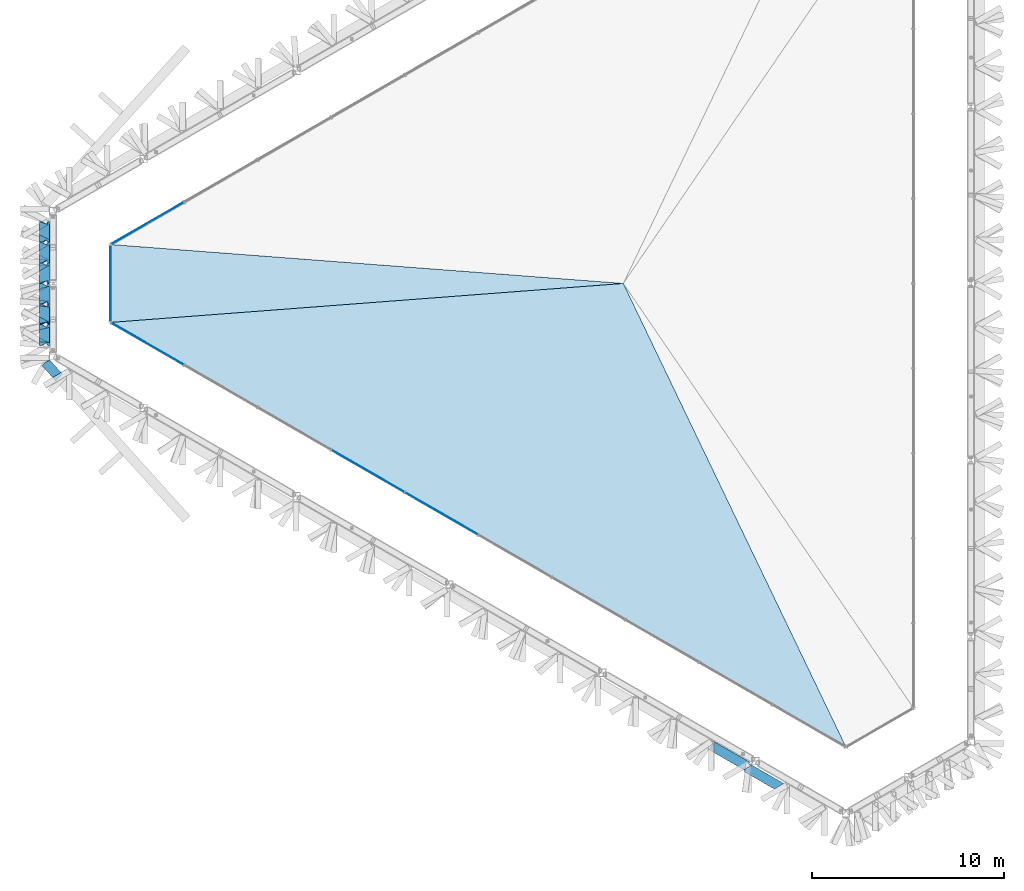
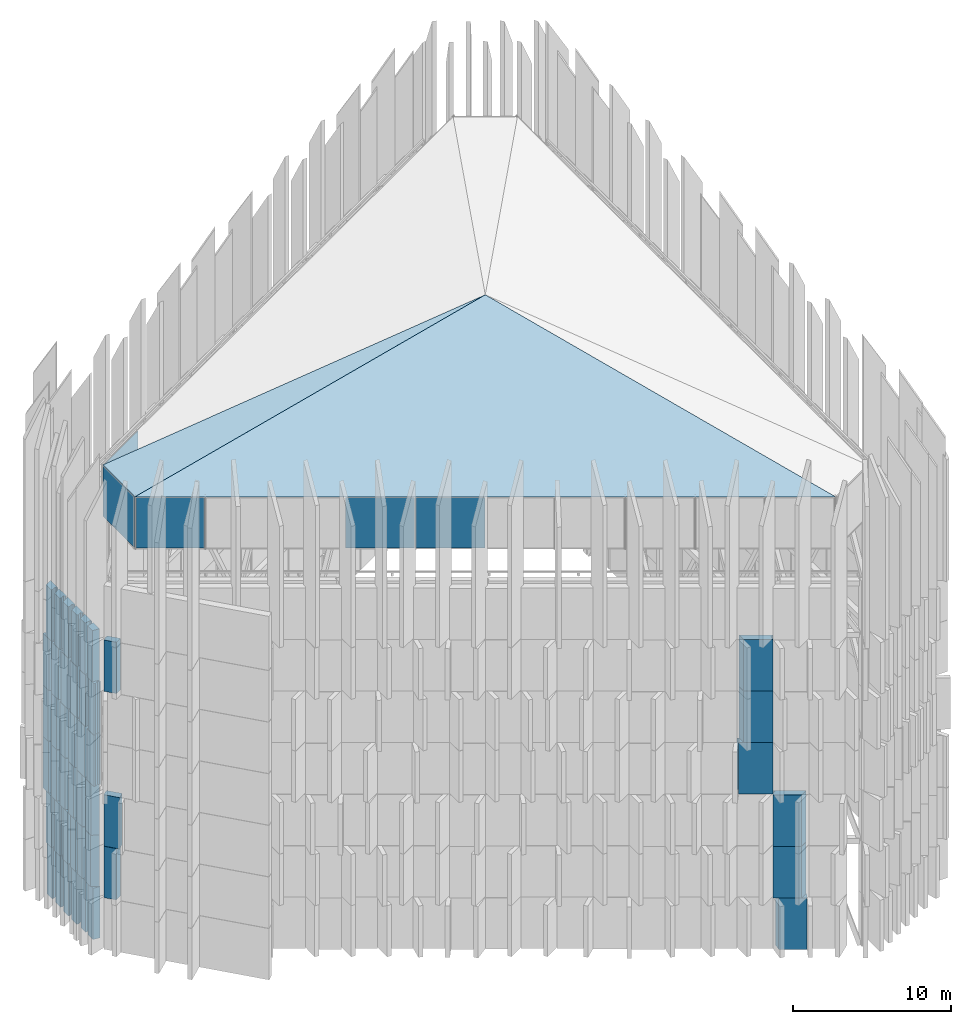
# One storey, part 28 of 45: 52 plates, 3 elements without a shape of their own.
"""IFC4 building model written with IfcOpenShell, lengths in metres."""

from ifc_helpers import new_model, si_unit, direction, frame, origin, origin_2d, place, context, subcontext, project, spatial, polyline, rectangle, outline, extrude, material, layer, layer_set, type_object, element, aggregate, save


model = new_model("IFC4")

# Units and contexts
model_context = context("Model", 3, precision=1e-05, world=origin(), true_north=direction((0.0, 1.0)))
body_context = subcontext(model_context, "Body", "Model", "MODEL_VIEW")
ifc_project = project(units=[si_unit("LENGTHUNIT", "METRE"), si_unit("AREAUNIT", "SQUARE_METRE"), si_unit("VOLUMEUNIT", "CUBIC_METRE"), si_unit("PLANEANGLEUNIT", "RADIAN"), si_unit("MASSUNIT", "GRAM", prefix="KILO")], contexts=[model_context])

# Site, building, storey
site_placement = place(None, origin())
site = spatial("IfcSite", under=ifc_project, at=site_placement, CompositionType="ELEMENT")
building_placement = place(site_placement, origin())
building = spatial("IfcBuilding", under=site, at=building_placement, Name="Jabali Bay Hotel Tower and Convention Centre", CompositionType="ELEMENT")
storey_placement = place(building_placement, frame((0.0, 0.0, 322.39990234375)))
storey = spatial("IfcBuildingStorey", under=building, at=storey_placement, Name="Crown", CompositionType="ELEMENT", Elevation=322.39990234375)

# Curtain wall, plate
ifc_material_1 = material(Name="Aluminium and glass", Category="aluminium")
ifc_layer_1 = layer(ifc_material_1, 0.199951171875)
ifc_layer_set_1 = layer_set([ifc_layer_1], Name="Aluminium and glass")
curtain_wall_type = type_object("IfcCurtainWallType", Name="CW6 curtain wall", PredefinedType="NOTDEFINED", material=ifc_layer_set_1)
curtain_wall_1_placement = place(storey_placement, origin())
curtain_wall_1 = element("IfcCurtainWall", 1, at=curtain_wall_1_placement, inside=storey, type_object=curtain_wall_type, Name="CW6 lantern glazing 3", PredefinedType="NOTDEFINED")
ifc_material_2 = material(Name="Glass", Category="glass")
ifc_layer_2 = layer(ifc_material_2, 0.031982421875)
ifc_layer_set_2 = layer_set([ifc_layer_2], Name="Glass")
plate_type_1 = type_object("IfcPlateType", Name="CW6 glass panel 32", PredefinedType="CURTAIN_PANEL", material=ifc_layer_set_2)
plate_1_placement = place(storey_placement, frame((50.158935546875, 83.150146484375, 28.41015625), z_axis=(0.0, 0.0, 1.0), x_axis=(-0.866025400826, -0.500000005124, 0.0)))
plate_1 = element("IfcPlate", 2, at=plate_1_placement, type_object=plate_type_1, Name="CW6 panel 10.1", PredefinedType="CURTAIN_PANEL", context=body_context, shape_type="SweptSolid", body=[
    extrude(rectangle(XDim=4.343994140625, YDim=0.031982421875, at=origin_2d()), origin(), (0.0, 0.0, 1.0), 3.8798828125),
])
aggregate(curtain_wall_1, [plate_1])

curtain_wall_2_placement = place(storey_placement, origin())
curtain_wall_2 = element("IfcCurtainWall", 3, at=curtain_wall_2_placement, inside=storey, type_object=curtain_wall_type, Name="CW6 lantern glazing 4", PredefinedType="NOTDEFINED")
plate_2_placement = place(storey_placement, frame((48.225830078125, 80.0, 28.41015625), z_axis=(0.0, 0.0, 1.0), x_axis=(0.0, -1.0, 0.0)))
plate_2 = element("IfcPlate", 4, at=plate_2_placement, type_object=plate_type_1, Name="CW6 panel 1.1", PredefinedType="CURTAIN_PANEL", context=body_context, shape_type="SweptSolid", body=[
    extrude(rectangle(XDim=3.948486328125, YDim=0.031982421875, at=origin_2d()), origin(), (0.0, 0.0, 1.0), 3.8798828125),
])
aggregate(curtain_wall_2, [plate_2])

# Curtain wall, plates
curtain_wall_3_placement = place(storey_placement, origin())
curtain_wall_3 = element("IfcCurtainWall", 5, at=curtain_wall_3_placement, inside=storey, type_object=curtain_wall_type, Name="CW6 lantern glazing 5", PredefinedType="NOTDEFINED")
plate_3_placement = place(storey_placement, frame((50.158935546875, 76.849853515625, 28.41015625), z_axis=(0.0, 0.0, 1.0), x_axis=(0.866025400826, -0.500000005124, 0.0)))
plate_3 = element("IfcPlate", 6, at=plate_3_placement, type_object=plate_type_1, Name="CW6 panel 1.1", PredefinedType="CURTAIN_PANEL", context=body_context, shape_type="SweptSolid", body=[
    extrude(rectangle(XDim=4.343994140625, YDim=0.031982421875, at=origin_2d()), origin(), (0.0, 0.0, 1.0), 3.8798828125),
])
plate_4_placement = place(storey_placement, frame((61.665771484375, 70.206298828125, 28.41015625), z_axis=(0.0, 0.0, 1.0), x_axis=(0.866025400826, -0.500000005124, 0.0)))
plate_4 = element("IfcPlate", 7, at=plate_4_placement, type_object=plate_type_1, Name="CW6 panel 4.1", PredefinedType="CURTAIN_PANEL", context=body_context, shape_type="SweptSolid", body=[
    extrude(rectangle(XDim=4.3740234375, YDim=0.031982421875, at=origin_2d()), origin(), (0.0, 0.0, 1.0), 3.8798828125),
])
plate_5_placement = place(storey_placement, frame((65.505615234375, 67.9892578125, 28.41015625), z_axis=(0.0, 0.0, 1.0), x_axis=(0.866025400826, -0.500000005124, 0.0)))
plate_5 = element("IfcPlate", 8, at=plate_5_placement, type_object=plate_type_1, Name="CW6 panel 5.1", PredefinedType="CURTAIN_PANEL", context=body_context, shape_type="SweptSolid", body=[
    extrude(rectangle(XDim=4.3740234375, YDim=0.031982421875, at=origin_2d()), origin(), (0.0, 0.0, 1.0), 3.8798828125),
])
aggregate(curtain_wall_3, [plate_3, plate_4, plate_5])

# Plates
ifc_layer_3 = layer(ifc_material_2, 0.0400390625)
ifc_layer_set_3 = layer_set([ifc_layer_3], Name="Glass")
plate_type_2 = type_object("IfcPlateType", Name="Lantern roof glazing", PredefinedType="SHEET", material=ifc_layer_set_3)
plate_6_placement = place(storey_placement, frame((48.225830078125, 82.0341796875, 32.35009765625), z_axis=(-0.183573566836, 0.0, 0.983005974325), x_axis=(0.0, -1.0, 0.0)))
element("IfcPlate", 9, at=plate_6_placement, inside=storey, type_object=plate_type_2, Name="Lantern roof glazing 4", PredefinedType="SHEET", context=body_context, shape_type="SweptSolid", body=[
    extrude(outline(polyline([(0.0, 0.0), (4.068359375, 0.0), (2.0341796875, 27.237060546875), (0.0, 0.0)])), origin(), (0.0, 0.0, -1.0), 0.0400390625),
])
plate_7_placement = place(storey_placement, frame((48.225830078125, 77.9658203125, 32.35009765625), z_axis=(-0.156714659268, -0.271437631798, 0.949611566702), x_axis=(0.866025307794, -0.500000166261, 0.0)))
element("IfcPlate", 10, at=plate_7_placement, inside=storey, type_object=plate_type_2, Name="Lantern roof glazing 5", PredefinedType="SHEET", context=body_context, shape_type="SweptSolid", body=[
    extrude(outline(polyline([(0.0, 0.0), (44.33984375, 0.0), (22.169921875, 15.95263671875), (0.0, 0.0)])), origin(), (0.0, 0.0, -1.0), 0.0400390625),
])
ifc_material_3 = material(Name="Precast concrete C60", Category="concrete")
ifc_layer_4 = layer(ifc_material_3, 0.5)
ifc_layer_set_4 = layer_set([ifc_layer_4], Name="Precast concrete C60")
plate_type_3 = type_object("IfcPlateType", Name="Pierced precast screen", PredefinedType="USERDEFINED", material=ifc_layer_set_4)
plate_8_placement = place(storey_placement, frame((0.0, 0.0, 0.010009765625)))
element("IfcPlate", 11, at=plate_8_placement, inside=storey, type_object=plate_type_3, Name="Screen 1.3.49", ObjectType="SCREEN", PredefinedType="USERDEFINED", context=body_context, shape_type="SweptSolid", body=[
    extrude(outline(polyline([(45.075927734375, 82.152099609375), (45.075927734375, 83.098388671875), (44.575927734375, 82.8095703125), (44.575927734375, 82.152099609375), (44.700927734375, 82.152099609375), (44.926025390625, 82.281982421875), (45.0009765625, 82.152099609375), (45.075927734375, 82.152099609375)])), origin(), (0.0, 0.0, 1.0), 3.9658203125),
])
plate_9_placement = place(storey_placement, frame((0.0, 0.0, 0.010009765625)))
element("IfcPlate", 12, at=plate_9_placement, inside=storey, type_object=plate_type_3, Name="Screen 1.3.50", ObjectType="SCREEN", PredefinedType="USERDEFINED", context=body_context, shape_type="SweptSolid", body=[
    extrude(outline(polyline([(45.075927734375, 81.076171875), (45.075927734375, 82.022216796875), (44.575927734375, 81.733642578125), (44.575927734375, 81.076171875), (44.700927734375, 81.076171875), (44.926025390625, 81.2060546875), (45.0009765625, 81.076171875), (45.075927734375, 81.076171875)])), origin(), (0.0, 0.0, 1.0), 3.9658203125),
])
plate_10_placement = place(storey_placement, frame((0.0, 0.0, 0.010009765625)))
element("IfcPlate", 13, at=plate_10_placement, inside=storey, type_object=plate_type_3, Name="Screen 1.3.51", ObjectType="SCREEN", PredefinedType="USERDEFINED", context=body_context, shape_type="SweptSolid", body=[
    extrude(outline(polyline([(45.02587890625, 80.0), (45.02587890625, 80.917236328125), (44.52587890625, 80.628662109375), (44.52587890625, 80.0), (44.65087890625, 80.0), (44.8759765625, 80.1298828125), (44.950927734375, 80.0), (45.02587890625, 80.0)])), origin(), (0.0, 0.0, 1.0), 3.9658203125),
])
plate_11_placement = place(storey_placement, frame((0.0, 0.0, 0.010009765625)))
element("IfcPlate", 14, at=plate_11_placement, inside=storey, type_object=plate_type_3, Name="Screen 1.3.52", ObjectType="SCREEN", PredefinedType="USERDEFINED", context=body_context, shape_type="SweptSolid", body=[
    extrude(outline(polyline([(45.02587890625, 78.923828125), (45.02587890625, 79.8701171875), (44.52587890625, 79.581298828125), (44.52587890625, 78.923828125), (44.698974609375, 78.923828125), (44.92724609375, 79.05419921875), (45.00146484375, 78.923828125), (45.02587890625, 78.923828125)])), origin(), (0.0, 0.0, 1.0), 3.9658203125),
])
plate_12_placement = place(storey_placement, frame((0.0, 0.0, 0.010009765625)))
element("IfcPlate", 15, at=plate_12_placement, inside=storey, type_object=plate_type_3, Name="Screen 1.3.53", ObjectType="SCREEN", PredefinedType="USERDEFINED", context=body_context, shape_type="SweptSolid", body=[
    extrude(outline(polyline([(45.075927734375, 77.847900390625), (45.075927734375, 78.793701171875), (44.575927734375, 78.508056640625), (44.575927734375, 77.893798828125), (45.008056640625, 77.993896484375), (45.0419921875, 77.847900390625), (45.075927734375, 77.847900390625)])), origin(), (0.0, 0.0, 1.0), 3.9658203125),
])
plate_13_placement = place(storey_placement, frame((0.0, 0.0, 0.010009765625)))
element("IfcPlate", 16, at=plate_13_placement, inside=storey, type_object=plate_type_3, Name="Screen 1.3.54", ObjectType="SCREEN", PredefinedType="USERDEFINED", context=body_context, shape_type="SweptSolid", body=[
    extrude(outline(polyline([(45.075927734375, 76.92138671875), (45.075927734375, 77.70166015625), (44.575927734375, 77.585693359375), (44.575927734375, 76.958984375), (45.075927734375, 76.92138671875)])), origin(), (0.0, 0.0, 1.0), 3.9658203125),
])
plate_14_placement = place(storey_placement, frame((0.0, 0.0, 0.010009765625)))
element("IfcPlate", 17, at=plate_14_placement, inside=storey, type_object=plate_type_3, Name="Screen 1.4.74", ObjectType="SCREEN", PredefinedType="USERDEFINED", context=body_context, shape_type="SweptSolid", body=[
    extrude(outline(polyline([(83.407470703125, 53.8740234375), (81.694580078125, 54.863037109375), (81.626708984375, 54.324951171875), (83.18359375, 53.426025390625), (83.407470703125, 53.8740234375)])), origin(), (0.0, 0.0, 1.0), 3.9658203125),
])
plate_15_placement = place(storey_placement, frame((0.0, 0.0, 3.995849609375)))
element("IfcPlate", 18, at=plate_15_placement, inside=storey, type_object=plate_type_3, Name="Screen 2.3.49", ObjectType="SCREEN", PredefinedType="USERDEFINED", context=body_context, shape_type="SweptSolid", body=[
    extrude(outline(polyline([(45.02587890625, 82.152099609375), (45.02587890625, 83.098388671875), (44.52587890625, 82.8095703125), (44.52587890625, 82.152099609375), (44.65087890625, 82.152099609375), (44.8759765625, 82.281982421875), (44.950927734375, 82.152099609375), (45.02587890625, 82.152099609375)])), origin(), (0.0, 0.0, 1.0), 3.965576171875),
])
plate_16_placement = place(storey_placement, frame((0.0, 0.0, 3.995849609375)))
element("IfcPlate", 19, at=plate_16_placement, inside=storey, type_object=plate_type_3, Name="Screen 2.3.50", ObjectType="SCREEN", PredefinedType="USERDEFINED", context=body_context, shape_type="SweptSolid", body=[
    extrude(outline(polyline([(45.02587890625, 81.076171875), (45.02587890625, 82.022216796875), (44.52587890625, 81.733642578125), (44.52587890625, 81.076171875), (44.65087890625, 81.076171875), (44.8759765625, 81.2060546875), (44.950927734375, 81.076171875), (45.02587890625, 81.076171875)])), origin(), (0.0, 0.0, 1.0), 3.965576171875),
])
plate_17_placement = place(storey_placement, frame((0.0, 0.0, 3.995849609375)))
element("IfcPlate", 20, at=plate_17_placement, inside=storey, type_object=plate_type_3, Name="Screen 2.3.51", ObjectType="SCREEN", PredefinedType="USERDEFINED", context=body_context, shape_type="SweptSolid", body=[
    extrude(outline(polyline([(45.02587890625, 80.0), (45.02587890625, 80.9462890625), (44.52587890625, 80.657470703125), (44.52587890625, 80.016357421875), (44.9375, 80.143310546875), (44.981689453125, 80.0), (45.02587890625, 80.0)])), origin(), (0.0, 0.0, 1.0), 3.965576171875),
])
plate_18_placement = place(storey_placement, frame((0.0, 0.0, 3.995849609375)))
element("IfcPlate", 21, at=plate_18_placement, inside=storey, type_object=plate_type_3, Name="Screen 2.3.52", ObjectType="SCREEN", PredefinedType="USERDEFINED", context=body_context, shape_type="SweptSolid", body=[
    extrude(outline(polyline([(45.02587890625, 79.0732421875), (45.02587890625, 79.856689453125), (44.52587890625, 79.702392578125), (44.52587890625, 79.119140625), (45.02587890625, 79.0732421875)])), origin(), (0.0, 0.0, 1.0), 3.965576171875),
])
plate_19_placement = place(storey_placement, frame((0.0, 0.0, 3.995849609375)))
element("IfcPlate", 22, at=plate_19_placement, inside=storey, type_object=plate_type_3, Name="Screen 2.3.53", ObjectType="SCREEN", PredefinedType="USERDEFINED", context=body_context, shape_type="SweptSolid", body=[
    extrude(outline(polyline([(45.02587890625, 77.98095703125), (45.02587890625, 78.923828125), (45.01220703125, 78.923828125), (44.99853515625, 78.774658203125), (44.52587890625, 78.81787109375), (44.52587890625, 78.240966796875), (45.02587890625, 77.98095703125)])), origin(), (0.0, 0.0, 1.0), 3.965576171875),
])
plate_20_placement = place(storey_placement, frame((0.0, 0.0, 3.995849609375)))
element("IfcPlate", 23, at=plate_20_placement, inside=storey, type_object=plate_type_3, Name="Screen 2.3.54", ObjectType="SCREEN", PredefinedType="USERDEFINED", context=body_context, shape_type="SweptSolid", body=[
    extrude(outline(polyline([(45.02587890625, 76.901611328125), (45.02587890625, 77.847900390625), (44.956787109375, 77.847900390625), (44.887451171875, 77.71484375), (44.631591796875, 77.847900390625), (44.52587890625, 77.847900390625), (44.52587890625, 77.1904296875), (45.02587890625, 76.901611328125)])), origin(), (0.0, 0.0, 1.0), 3.965576171875),
])
plate_21_placement = place(storey_placement, frame((0.0, 0.0, 3.995849609375)))
element("IfcPlate", 24, at=plate_21_placement, inside=storey, type_object=plate_type_3, Name="Screen 2.4.74", ObjectType="SCREEN", PredefinedType="USERDEFINED", context=body_context, shape_type="SweptSolid", body=[
    extrude(outline(polyline([(83.382568359375, 53.888427734375), (81.560302734375, 54.940673828125), (81.559326171875, 54.93896484375), (81.63427734375, 54.80908203125), (81.409423828125, 54.67919921875), (81.310302734375, 54.507568359375), (82.882568359375, 53.599853515625), (83.382568359375, 53.888427734375)])), origin(), (0.0, 0.0, 1.0), 3.965576171875),
])
plate_22_placement = place(storey_placement, frame((0.0, 0.0, 7.9814453125)))
element("IfcPlate", 25, at=plate_22_placement, inside=storey, type_object=plate_type_3, Name="Screen 3.3.49", ObjectType="SCREEN", PredefinedType="USERDEFINED", context=body_context, shape_type="SweptSolid", body=[
    extrude(outline(polyline([(45.02587890625, 82.287109375), (45.02587890625, 83.228271484375), (44.97802734375, 83.228271484375), (44.93017578125, 83.086181640625), (44.52587890625, 83.22216796875), (44.52587890625, 82.530517578125), (45.02587890625, 82.287109375)])), origin(), (0.0, 0.0, 1.0), 3.9658203125),
])
plate_23_placement = place(storey_placement, frame((0.0, 0.0, 7.9814453125)))
element("IfcPlate", 26, at=plate_23_placement, inside=storey, type_object=plate_type_3, Name="Screen 3.3.50", ObjectType="SCREEN", PredefinedType="USERDEFINED", context=body_context, shape_type="SweptSolid", body=[
    extrude(outline(polyline([(45.02587890625, 81.2060546875), (45.02587890625, 82.152099609375), (44.960205078125, 82.152099609375), (44.89453125, 82.017333984375), (44.61767578125, 82.152099609375), (44.52587890625, 82.152099609375), (44.52587890625, 81.49462890625), (45.02587890625, 81.2060546875)])), origin(), (0.0, 0.0, 1.0), 3.9658203125),
])
plate_24_placement = place(storey_placement, frame((0.0, 0.0, 7.9814453125)))
element("IfcPlate", 27, at=plate_24_placement, inside=storey, type_object=plate_type_3, Name="Screen 3.3.51", ObjectType="SCREEN", PredefinedType="USERDEFINED", context=body_context, shape_type="SweptSolid", body=[
    extrude(outline(polyline([(45.02587890625, 80.1298828125), (45.02587890625, 81.076171875), (44.950927734375, 81.076171875), (44.8759765625, 80.9462890625), (44.65087890625, 81.076171875), (44.52587890625, 81.076171875), (44.52587890625, 80.418701171875), (45.02587890625, 80.1298828125)])), origin(), (0.0, 0.0, 1.0), 3.9658203125),
])
plate_25_placement = place(storey_placement, frame((0.0, 0.0, 7.9814453125)))
element("IfcPlate", 28, at=plate_25_placement, inside=storey, type_object=plate_type_3, Name="Screen 3.3.52", ObjectType="SCREEN", PredefinedType="USERDEFINED", context=body_context, shape_type="SweptSolid", body=[
    extrude(outline(polyline([(45.02587890625, 79.0537109375), (45.02587890625, 80.0), (44.950927734375, 80.0), (44.8759765625, 79.8701171875), (44.65087890625, 80.0), (44.52587890625, 80.0), (44.52587890625, 79.342529296875), (45.02587890625, 79.0537109375)])), origin(), (0.0, 0.0, 1.0), 3.9658203125),
])
plate_26_placement = place(storey_placement, frame((0.0, 0.0, 7.9814453125)))
element("IfcPlate", 29, at=plate_26_placement, inside=storey, type_object=plate_type_3, Name="Screen 3.3.53", ObjectType="SCREEN", PredefinedType="USERDEFINED", context=body_context, shape_type="SweptSolid", body=[
    extrude(outline(polyline([(45.02587890625, 77.977783203125), (45.02587890625, 78.923828125), (44.950927734375, 78.923828125), (44.8759765625, 78.7939453125), (44.65087890625, 78.923828125), (44.52587890625, 78.923828125), (44.52587890625, 78.266357421875), (45.02587890625, 77.977783203125)])), origin(), (0.0, 0.0, 1.0), 3.9658203125),
])
plate_27_placement = place(storey_placement, frame((0.0, 0.0, 7.9814453125)))
element("IfcPlate", 30, at=plate_27_placement, inside=storey, type_object=plate_type_3, Name="Screen 3.3.54", ObjectType="SCREEN", PredefinedType="USERDEFINED", context=body_context, shape_type="SweptSolid", body=[
    extrude(outline(polyline([(45.02587890625, 76.907958984375), (45.02587890625, 77.847900390625), (44.950927734375, 77.847900390625), (44.8759765625, 77.718017578125), (44.65087890625, 77.847900390625), (44.52587890625, 77.847900390625), (44.52587890625, 77.13916015625), (45.02587890625, 76.907958984375)])), origin(), (0.0, 0.0, 1.0), 3.9658203125),
])
plate_28_placement = place(storey_placement, frame((0.0, 0.0, 7.9814453125)))
element("IfcPlate", 31, at=plate_28_placement, inside=storey, type_object=plate_type_3, Name="Screen 3.4.74", ObjectType="SCREEN", PredefinedType="USERDEFINED", context=body_context, shape_type="SweptSolid", body=[
    extrude(outline(polyline([(83.382568359375, 53.888427734375), (81.560302734375, 54.940673828125), (81.559326171875, 54.93896484375), (81.63427734375, 54.80908203125), (81.409423828125, 54.67919921875), (81.310302734375, 54.507568359375), (82.882568359375, 53.599853515625), (83.382568359375, 53.888427734375)])), origin(), (0.0, 0.0, 1.0), 3.9658203125),
])
plate_29_placement = place(storey_placement, frame((0.0, 0.0, 11.96728515625)))
element("IfcPlate", 32, at=plate_29_placement, inside=storey, type_object=plate_type_3, Name="Screen 4.3.49", ObjectType="SCREEN", PredefinedType="USERDEFINED", context=body_context, shape_type="SweptSolid", body=[
    extrude(outline(polyline([(45.02587890625, 82.281982421875), (45.02587890625, 83.228271484375), (44.950927734375, 83.228271484375), (44.8759765625, 83.098388671875), (44.65087890625, 83.228271484375), (44.52587890625, 83.228271484375), (44.52587890625, 82.57080078125), (45.02587890625, 82.281982421875)])), origin(), (0.0, 0.0, 1.0), 3.965576171875),
])
plate_30_placement = place(storey_placement, frame((0.0, 0.0, 11.96728515625)))
element("IfcPlate", 33, at=plate_30_placement, inside=storey, type_object=plate_type_3, Name="Screen 4.3.50", ObjectType="SCREEN", PredefinedType="USERDEFINED", context=body_context, shape_type="SweptSolid", body=[
    extrude(outline(polyline([(45.02587890625, 81.2060546875), (45.02587890625, 82.152099609375), (44.950927734375, 82.152099609375), (44.8759765625, 82.022216796875), (44.65087890625, 82.152099609375), (44.52587890625, 82.152099609375), (44.52587890625, 81.49462890625), (45.02587890625, 81.2060546875)])), origin(), (0.0, 0.0, 1.0), 3.965576171875),
])
plate_31_placement = place(storey_placement, frame((0.0, 0.0, 11.96728515625)))
element("IfcPlate", 34, at=plate_31_placement, inside=storey, type_object=plate_type_3, Name="Screen 4.3.51", ObjectType="SCREEN", PredefinedType="USERDEFINED", context=body_context, shape_type="SweptSolid", body=[
    extrude(outline(polyline([(45.02587890625, 80.1298828125), (45.02587890625, 81.076171875), (44.950927734375, 81.076171875), (44.8759765625, 80.9462890625), (44.65087890625, 81.076171875), (44.52587890625, 81.076171875), (44.52587890625, 80.418701171875), (45.02587890625, 80.1298828125)])), origin(), (0.0, 0.0, 1.0), 3.965576171875),
])
plate_32_placement = place(storey_placement, frame((0.0, 0.0, 11.96728515625)))
element("IfcPlate", 35, at=plate_32_placement, inside=storey, type_object=plate_type_3, Name="Screen 4.3.52", ObjectType="SCREEN", PredefinedType="USERDEFINED", context=body_context, shape_type="SweptSolid", body=[
    extrude(outline(polyline([(45.02587890625, 79.068603515625), (45.02587890625, 80.0), (44.950927734375, 80.0), (44.8759765625, 79.8701171875), (44.65087890625, 80.0), (44.52587890625, 80.0), (44.52587890625, 79.203857421875), (45.02587890625, 79.068603515625)])), origin(), (0.0, 0.0, 1.0), 3.965576171875),
])
plate_33_placement = place(storey_placement, frame((0.0, 0.0, 11.96728515625)))
element("IfcPlate", 36, at=plate_33_placement, inside=storey, type_object=plate_type_3, Name="Screen 4.3.53", ObjectType="SCREEN", PredefinedType="USERDEFINED", context=body_context, shape_type="SweptSolid", body=[
    extrude(outline(polyline([(45.02587890625, 77.847900390625), (45.02587890625, 78.923828125), (44.98681640625, 78.923828125), (44.947509765625, 78.779052734375), (44.52587890625, 78.89306640625), (44.52587890625, 77.925048828125), (44.9794921875, 77.99609375), (45.002685546875, 77.847900390625), (45.02587890625, 77.847900390625)])), origin(), (0.0, 0.0, 1.0), 3.965576171875),
])
plate_34_placement = place(storey_placement, frame((0.0, 0.0, 11.96728515625)))
element("IfcPlate", 37, at=plate_34_placement, inside=storey, type_object=plate_type_3, Name="Screen 4.3.54", ObjectType="SCREEN", PredefinedType="USERDEFINED", context=body_context, shape_type="SweptSolid", body=[
    extrude(outline(polyline([(45.02587890625, 76.771728515625), (45.02587890625, 77.69970703125), (44.52587890625, 77.621337890625), (44.52587890625, 76.771728515625), (44.65087890625, 76.771728515625), (44.8759765625, 76.901611328125), (44.950927734375, 76.771728515625), (45.02587890625, 76.771728515625)])), origin(), (0.0, 0.0, 1.0), 3.965576171875),
])
plate_35_placement = place(storey_placement, frame((0.0, 0.0, 11.96728515625)))
element("IfcPlate", 38, at=plate_35_placement, inside=storey, type_object=plate_type_3, Name="Screen 4.4.73", ObjectType="SCREEN", PredefinedType="USERDEFINED", context=body_context, shape_type="SweptSolid", body=[
    extrude(outline(polyline([(81.596923828125, 55.00390625), (79.62548828125, 56.14208984375), (79.618896484375, 56.130615234375), (79.741455078125, 56.04443359375), (79.468505859375, 55.655517578125), (81.346923828125, 54.571044921875), (81.353759765625, 54.5830078125), (81.402587890625, 54.945068359375), (81.55126953125, 54.925048828125), (81.596923828125, 55.00390625)])), origin(), (0.0, 0.0, 1.0), 3.965576171875),
])
plate_36_placement = place(storey_placement, frame((0.0, 0.0, 15.952880859375)))
element("IfcPlate", 39, at=plate_36_placement, inside=storey, type_object=plate_type_3, Name="Screen 5.3.49", ObjectType="SCREEN", PredefinedType="USERDEFINED", context=body_context, shape_type="SweptSolid", body=[
    extrude(outline(polyline([(45.02587890625, 82.295654296875), (45.02587890625, 83.228271484375), (44.9560546875, 83.228271484375), (44.88623046875, 83.095458984375), (44.63427734375, 83.228271484375), (44.52587890625, 83.228271484375), (44.52587890625, 82.447998046875), (45.02587890625, 82.295654296875)])), origin(), (0.0, 0.0, 1.0), 3.9658203125),
])
plate_37_placement = place(storey_placement, frame((0.0, 0.0, 15.952880859375)))
element("IfcPlate", 40, at=plate_37_placement, inside=storey, type_object=plate_type_3, Name="Screen 5.3.50", ObjectType="SCREEN", PredefinedType="USERDEFINED", context=body_context, shape_type="SweptSolid", body=[
    extrude(outline(polyline([(45.02587890625, 81.225830078125), (45.02587890625, 82.152099609375), (44.982177734375, 82.152099609375), (44.9384765625, 82.0087890625), (44.52587890625, 82.134521484375), (44.52587890625, 81.260498046875), (45.02587890625, 81.225830078125)])), origin(), (0.0, 0.0, 1.0), 3.9658203125),
])
plate_38_placement = place(storey_placement, frame((0.0, 0.0, 15.952880859375)))
element("IfcPlate", 41, at=plate_38_placement, inside=storey, type_object=plate_type_3, Name="Screen 5.3.51", ObjectType="SCREEN", PredefinedType="USERDEFINED", context=body_context, shape_type="SweptSolid", body=[
    extrude(outline(polyline([(45.02587890625, 80.0), (45.02587890625, 81.076171875), (45.015625, 81.076171875), (45.005126953125, 80.926513671875), (44.52587890625, 80.959716796875), (44.52587890625, 80.06884765625), (44.973876953125, 80.147705078125), (45.0, 80.0), (45.02587890625, 80.0)])), origin(), (0.0, 0.0, 1.0), 3.9658203125),
])
plate_39_placement = place(storey_placement, frame((0.0, 0.0, 15.952880859375)))
element("IfcPlate", 42, at=plate_39_placement, inside=storey, type_object=plate_type_3, Name="Screen 5.3.52", ObjectType="SCREEN", PredefinedType="USERDEFINED", context=body_context, shape_type="SweptSolid", body=[
    extrude(outline(polyline([(45.02587890625, 78.923828125), (45.02587890625, 79.852294921875), (44.52587890625, 79.76416015625), (44.52587890625, 78.923828125), (44.591552734375, 78.923828125), (44.90576171875, 79.061279296875), (44.9658203125, 78.923828125), (45.02587890625, 78.923828125)])), origin(), (0.0, 0.0, 1.0), 3.9658203125),
])
plate_40_placement = place(storey_placement, frame((0.0, 0.0, 15.952880859375)))
element("IfcPlate", 43, at=plate_40_placement, inside=storey, type_object=plate_type_3, Name="Screen 5.3.53", ObjectType="SCREEN", PredefinedType="USERDEFINED", context=body_context, shape_type="SweptSolid", body=[
    extrude(outline(polyline([(45.02587890625, 77.847900390625), (45.02587890625, 78.786376953125), (44.52587890625, 78.56787109375), (44.52587890625, 77.847900390625), (44.65087890625, 77.847900390625), (44.8759765625, 77.977783203125), (44.950927734375, 77.847900390625), (45.02587890625, 77.847900390625)])), origin(), (0.0, 0.0, 1.0), 3.9658203125),
])
plate_41_placement = place(storey_placement, frame((0.0, 0.0, 15.952880859375)))
element("IfcPlate", 44, at=plate_41_placement, inside=storey, type_object=plate_type_3, Name="Screen 5.3.54", ObjectType="SCREEN", PredefinedType="USERDEFINED", context=body_context, shape_type="SweptSolid", body=[
    extrude(outline(polyline([(45.02587890625, 76.771728515625), (45.02587890625, 77.718017578125), (44.52587890625, 77.42919921875), (44.52587890625, 76.771728515625), (44.65087890625, 76.771728515625), (44.8759765625, 76.901611328125), (44.950927734375, 76.771728515625), (45.02587890625, 76.771728515625)])), origin(), (0.0, 0.0, 1.0), 3.9658203125),
])
plate_42_placement = place(storey_placement, frame((0.0, 0.0, 15.952880859375)))
element("IfcPlate", 45, at=plate_42_placement, inside=storey, type_object=plate_type_3, Name="Screen 5.4.73", ObjectType="SCREEN", PredefinedType="USERDEFINED", context=body_context, shape_type="SweptSolid", body=[
    extrude(outline(polyline([(81.596923828125, 55.00390625), (79.738037109375, 56.0771484375), (79.738037109375, 55.499755859375), (81.346923828125, 54.571044921875), (81.39990234375, 54.662841796875), (81.39990234375, 54.922607421875), (81.5498046875, 54.922607421875), (81.596923828125, 55.00390625)])), origin(), (0.0, 0.0, 1.0), 3.9658203125),
])
plate_43_placement = place(storey_placement, frame((0.0, 0.0, 19.938720703125)))
element("IfcPlate", 46, at=plate_43_placement, inside=storey, type_object=plate_type_3, Name="Screen 6.3.49", ObjectType="SCREEN", PredefinedType="USERDEFINED", context=body_context, shape_type="SweptSolid", body=[
    extrude(outline(polyline([(45.02587890625, 82.152099609375), (45.02587890625, 83.098388671875), (44.52587890625, 82.8095703125), (44.52587890625, 82.152099609375), (44.65087890625, 82.152099609375), (44.8759765625, 82.281982421875), (44.950927734375, 82.152099609375), (45.02587890625, 82.152099609375)])), origin(), (0.0, 0.0, 1.0), 3.965576171875),
])
plate_44_placement = place(storey_placement, frame((0.0, 0.0, 19.938720703125)))
element("IfcPlate", 47, at=plate_44_placement, inside=storey, type_object=plate_type_3, Name="Screen 6.3.50", ObjectType="SCREEN", PredefinedType="USERDEFINED", context=body_context, shape_type="SweptSolid", body=[
    extrude(outline(polyline([(45.02587890625, 81.076171875), (45.02587890625, 82.022216796875), (44.52587890625, 81.733642578125), (44.52587890625, 81.076171875), (44.65087890625, 81.076171875), (44.8759765625, 81.2060546875), (44.950927734375, 81.076171875), (45.02587890625, 81.076171875)])), origin(), (0.0, 0.0, 1.0), 3.965576171875),
])
plate_45_placement = place(storey_placement, frame((0.0, 0.0, 19.938720703125)))
element("IfcPlate", 48, at=plate_45_placement, inside=storey, type_object=plate_type_3, Name="Screen 6.3.51", ObjectType="SCREEN", PredefinedType="USERDEFINED", context=body_context, shape_type="SweptSolid", body=[
    extrude(outline(polyline([(45.02587890625, 80.0), (45.02587890625, 80.9462890625), (44.52587890625, 80.657470703125), (44.52587890625, 80.0), (44.65087890625, 80.0), (44.8759765625, 80.1298828125), (44.950927734375, 80.0), (45.02587890625, 80.0)])), origin(), (0.0, 0.0, 1.0), 3.965576171875),
])
plate_46_placement = place(storey_placement, frame((0.0, 0.0, 19.938720703125)))
element("IfcPlate", 49, at=plate_46_placement, inside=storey, type_object=plate_type_3, Name="Screen 6.3.52", ObjectType="SCREEN", PredefinedType="USERDEFINED", context=body_context, shape_type="SweptSolid", body=[
    extrude(outline(polyline([(45.02587890625, 78.923828125), (45.02587890625, 79.8701171875), (44.52587890625, 79.581298828125), (44.52587890625, 78.923828125), (44.64892578125, 78.923828125), (44.877197265625, 79.05419921875), (44.95166015625, 78.923828125), (45.02587890625, 78.923828125)])), origin(), (0.0, 0.0, 1.0), 3.965576171875),
])
plate_47_placement = place(storey_placement, frame((0.0, 0.0, 19.938720703125)))
element("IfcPlate", 50, at=plate_47_placement, inside=storey, type_object=plate_type_3, Name="Screen 6.3.53", ObjectType="SCREEN", PredefinedType="USERDEFINED", context=body_context, shape_type="SweptSolid", body=[
    extrude(outline(polyline([(45.02587890625, 77.847900390625), (45.02587890625, 78.793701171875), (44.52587890625, 78.508056640625), (44.52587890625, 77.893798828125), (44.958251953125, 77.993896484375), (44.991943359375, 77.847900390625), (45.02587890625, 77.847900390625)])), origin(), (0.0, 0.0, 1.0), 3.965576171875),
])
plate_48_placement = place(storey_placement, frame((0.0, 0.0, 19.938720703125)))
element("IfcPlate", 51, at=plate_48_placement, inside=storey, type_object=plate_type_3, Name="Screen 6.3.54", ObjectType="SCREEN", PredefinedType="USERDEFINED", context=body_context, shape_type="SweptSolid", body=[
    extrude(outline(polyline([(45.02587890625, 76.92138671875), (45.02587890625, 77.70166015625), (44.52587890625, 77.585693359375), (44.52587890625, 76.958984375), (45.02587890625, 76.92138671875)])), origin(), (0.0, 0.0, 1.0), 3.965576171875),
])
plate_49_placement = place(storey_placement, frame((0.0, 0.0, 19.938720703125)))
element("IfcPlate", 52, at=plate_49_placement, inside=storey, type_object=plate_type_3, Name="Screen 6.4.73", ObjectType="SCREEN", PredefinedType="USERDEFINED", context=body_context, shape_type="SweptSolid", body=[
    extrude(outline(polyline([(81.596923828125, 55.00390625), (79.738037109375, 56.0771484375), (79.738037109375, 55.499755859375), (81.346923828125, 54.571044921875), (81.357666015625, 54.589599609375), (81.40234375, 54.943603515625), (81.551025390625, 54.9248046875), (81.596923828125, 55.00390625)])), origin(), (0.0, 0.0, 1.0), 3.965576171875),
])
plate_50_placement = place(storey_placement, frame((0.0, 0.0, 3.995849609375)))
element("IfcPlate", 53, at=plate_50_placement, inside=storey, type_object=plate_type_3, Name="Screen 2.W10", ObjectType="SCREEN", PredefinedType="USERDEFINED", context=body_context, shape_type="SweptSolid", body=[
    extrude(outline(polyline([(45.6416015625, 75.349853515625), (45.02587890625, 76.03369140625), (45.02587890625, 75.96826171875), (44.93115234375, 75.96826171875), (44.64453125, 75.710205078125), (45.198974609375, 75.094482421875), (45.6416015625, 75.349853515625)])), origin(), (0.0, 0.0, 1.0), 3.965576171875),
])
plate_51_placement = place(storey_placement, frame((0.0, 0.0, 7.9814453125)))
element("IfcPlate", 54, at=plate_51_placement, inside=storey, type_object=plate_type_3, Name="Screen 3.W10", ObjectType="SCREEN", PredefinedType="USERDEFINED", context=body_context, shape_type="SweptSolid", body=[
    extrude(outline(polyline([(45.711181640625, 75.272705078125), (45.02587890625, 76.03369140625), (45.036376953125, 75.963134765625), (44.9033203125, 75.943115234375), (44.64453125, 75.710205078125), (45.36767578125, 74.90673828125), (45.711181640625, 75.272705078125)])), origin(), (0.0, 0.0, 1.0), 3.9658203125),
])
plate_52_placement = place(storey_placement, frame((0.0, 0.0, 19.938720703125)))
element("IfcPlate", 55, at=plate_52_placement, inside=storey, type_object=plate_type_3, Name="Screen 6.W10", ObjectType="SCREEN", PredefinedType="USERDEFINED", context=body_context, shape_type="SweptSolid", body=[
    extrude(outline(polyline([(45.64697265625, 75.343994140625), (45.02587890625, 76.03369140625), (45.048095703125, 75.962158203125), (44.85888671875, 75.9033203125), (44.64453125, 75.710205078125), (45.212158203125, 75.07958984375), (45.64697265625, 75.343994140625)])), origin(), (0.0, 0.0, 1.0), 3.965576171875),
])

save(model, "model.ifc")
